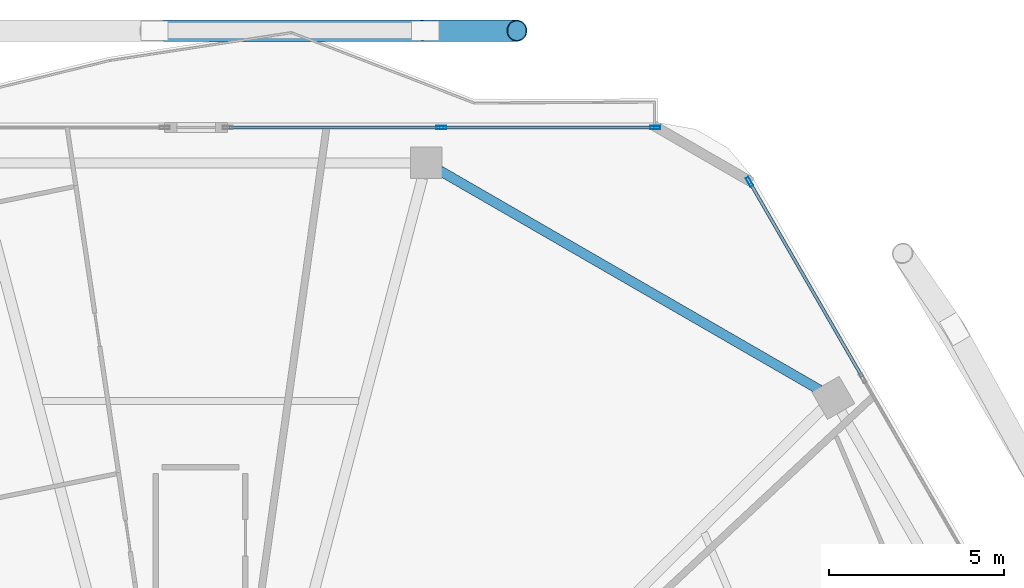
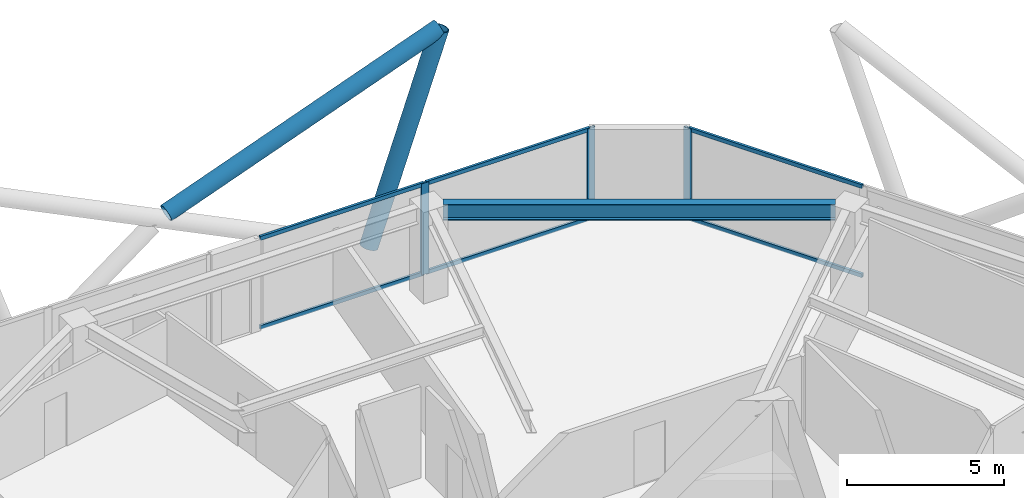
# One storey, part 18 of 28: 11 members, 1 beam, 2 elements without a shape of their own.
"""IFC4 building model written with IfcOpenShell, lengths in metres."""

import ifcopenshell
import ifcopenshell.guid

model = None  # the IFC model being written
_history = None  # IfcOwnerHistory: only IFC2X3 demands one
_inside = {}  # id of a spatial element -> (the spatial element, [elements in it])
_under = {}  # id of a project, library or spatial element -> (it, [spatial elements below it])
_declared = {}  # id of a project -> (the project, [libraries it declares])
_typed = {}  # id of a type object -> (the type object, [elements of that type])
_made_of = {}  # id of a material, layer set ... -> (it, [elements and type objects made of it])


def new_model(schema):
    """Start an empty IFC model of exactly this schema.

    Asked for "IFC4X3", IfcOpenShell would pick the latest addendum, in which some entities
    have other attributes; the version numbers below select the first issue.
    IFC2X3 requires an IfcOwnerHistory on every rooted entity: one is made here for all.
    """
    global model, _history
    if schema == "IFC4X3":
        model = ifcopenshell.file(schema_version=(4, 3, 0, 0))
    else:
        model = ifcopenshell.file(schema=schema)
    _inside.clear()
    _under.clear()
    _declared.clear()
    _typed.clear()
    _made_of.clear()
    _history = None
    if model.schema == "IFC2X3":
        org = make("IfcOrganization", Name="unknown")
        user = make(
            "IfcPersonAndOrganization",
            ThePerson=make("IfcPerson", FamilyName="unknown"),
            TheOrganization=org,
        )
        app = make(
            "IfcApplication",
            ApplicationDeveloper=org,
            Version="unknown",
            ApplicationFullName="unknown",
            ApplicationIdentifier="unknown",
        )
        _history = make(
            "IfcOwnerHistory",
            OwningUser=user,
            OwningApplication=app,
            ChangeAction="ADDED",
            CreationDate=0,
        )
    return model


def make(cls, **values):
    """One entity of the class cls with the attributes given. An attribute that is None is left unset."""
    return model.create_entity(
        cls, **{name: value for name, value in values.items() if value is not None}
    )


def rooted(cls, **values):
    """An entity with a GlobalId (a new one), such as an element, a storey or a relation."""
    return make(cls, GlobalId=ifcopenshell.guid.new(), OwnerHistory=_history, **values)


def si_unit(unit_type, name, prefix=None):
    """IfcSIUnit, for example si_unit("LENGTHUNIT", "METRE", prefix="MILLI")."""
    return make("IfcSIUnit", UnitType=unit_type, Prefix=prefix, Name=name)


def assignment(units):
    """IfcUnitAssignment: the units of a project."""
    return None if units is None else make("IfcUnitAssignment", Units=units)


def point(xyz):
    """IfcCartesianPoint."""
    return None if xyz is None else make("IfcCartesianPoint", Coordinates=xyz)


def direction(xyz):
    """IfcDirection."""
    return None if xyz is None else make("IfcDirection", DirectionRatios=xyz)


def frame(location, z_axis=None, x_axis=None):
    """IfcAxis2Placement3D, a coordinate frame: its origin and axes. An axis left out is left unset."""
    return make(
        "IfcAxis2Placement3D",
        Location=point(location),
        Axis=direction(z_axis),
        RefDirection=direction(x_axis),
    )


def frame_2d(location, x_axis=None):
    """IfcAxis2Placement2D, a coordinate frame in the plane: its origin and x axis."""
    return make(
        "IfcAxis2Placement2D", Location=point(location), RefDirection=direction(x_axis)
    )


def origin():
    """The frame at (0, 0, 0) with its axes left unset."""
    return frame((0.0, 0.0, 0.0))


def origin_2d():
    """The frame at (0, 0) in the plane with its x axis left unset."""
    return frame_2d((0.0, 0.0))


def place(relative_to, where):
    """IfcLocalPlacement: puts the frame where relative to a parent placement (None: the world)."""
    return make(
        "IfcLocalPlacement", PlacementRelTo=relative_to, RelativePlacement=where
    )


def context(
    kind, dimensions, precision=None, world=None, true_north=None, identifier=None
):
    """IfcGeometricRepresentationContext, for example the 3D "Model" context."""
    return make(
        "IfcGeometricRepresentationContext",
        ContextIdentifier=identifier,
        ContextType=kind,
        CoordinateSpaceDimension=dimensions,
        Precision=precision,
        WorldCoordinateSystem=world,
        TrueNorth=true_north,
    )


def subcontext(parent, identifier, kind, view, scale=None):
    """IfcGeometricRepresentationSubContext, for example "Body" below "Model"."""
    return make(
        "IfcGeometricRepresentationSubContext",
        ContextIdentifier=identifier,
        ContextType=kind,
        ParentContext=parent,
        TargetScale=scale,
        TargetView=view,
    )


def project(units=None, contexts=None):
    """IfcProject with its units and contexts."""
    return rooted(
        "IfcProject",
        Name="project",
        RepresentationContexts=contexts,
        UnitsInContext=assignment(units),
    )


def spatial(cls, under=None, at=None, **own):
    """A site, building, storey or space (cls), placed at a placement, below another one or the project."""
    s = rooted(cls, ObjectPlacement=at, **own)
    if under is not None:
        _under.setdefault(under.id(), (under, []))[1].append(s)
    return s


def profile(cls, at=None, kind="AREA", **sizes):
    """A parametric profile (cls). Its sizes go by their IFC names, for example OverallWidth=200.0."""
    return make(cls, ProfileType=kind, Position=at, **sizes)


def hollow_rectangle(**sizes):
    """IfcRectangleHollowProfileDef."""
    return profile("IfcRectangleHollowProfileDef", **sizes)


def hollow_circle(**sizes):
    """IfcCircleHollowProfileDef."""
    return profile("IfcCircleHollowProfileDef", **sizes)


def i_section(**sizes):
    """IfcIShapeProfileDef."""
    return profile("IfcIShapeProfileDef", **sizes)


def extrude(swept, where, along, depth):
    """IfcExtrudedAreaSolid: the profile swept, set in the frame where, extruded along a direction by depth."""
    return make(
        "IfcExtrudedAreaSolid",
        SweptArea=swept,
        Position=where,
        ExtrudedDirection=direction(along),
        Depth=depth,
    )


def shape(context_of_items, identifier, shape_type, items):
    """IfcShapeRepresentation: the items that make up one representation, for example the "Body"."""
    return make(
        "IfcShapeRepresentation",
        ContextOfItems=context_of_items,
        RepresentationIdentifier=identifier,
        RepresentationType=shape_type,
        Items=items,
    )


def material(Name=None, Category=None):
    """IfcMaterial."""
    return make("IfcMaterial", Name=Name, Category=Category)


def material_profile(
    of_material, cross_section, Name=None, Category=None, Priority=None
):
    """IfcMaterialProfile: a cross section and its material."""
    return make(
        "IfcMaterialProfile",
        Name=Name,
        Material=of_material,
        Profile=cross_section,
        Priority=Priority,
        Category=Category,
    )


def profile_set(profiles, Name=None, composite=None):
    """IfcMaterialProfileSet."""
    return make(
        "IfcMaterialProfileSet",
        Name=Name,
        MaterialProfiles=profiles,
        CompositeProfile=composite,
    )


def made_of(thing, what):
    """Note that an element or type object is made of a material, layer set ...; save() writes the relation."""
    if what is not None:
        _made_of.setdefault(what.id(), (what, []))[1].append(thing)
    return thing


def type_object(cls, material=None, **own):
    """A type object (cls), such as IfcWallType, which elements share."""
    return made_of(rooted(cls, **own), material)


def element(
    cls,
    number,
    at=None,
    inside=None,
    cuts=None,
    type_object=None,
    material=None,
    context=None,
    identifier="Body",
    shape_type=None,
    held_by="IfcProductDefinitionShape",
    body=None,
    shapes=None,
    **own,
):
    """One element of the class cls, such as IfcWall. Its Tag is "e" and its number.

    at: its placement. inside: the storey or other place that contains it. cuts: it is an
    opening in that element (IfcRelVoidsElement). A single representation is given by context,
    identifier, shape_type and body (its items); several are given by shapes. held_by: the class
    of the entity that holds the representations. save() writes the other relations.
    """
    e = rooted(cls, Tag="e%d" % number, ObjectPlacement=at, **own)
    if body is not None:
        shapes = [shape(context, identifier, shape_type, body)]
    if shapes is not None:
        e.Representation = make(held_by, Representations=shapes)
    if inside is not None:
        _inside.setdefault(inside.id(), (inside, []))[1].append(e)
    if cuts is not None:
        rooted(
            "IfcRelVoidsElement", RelatingBuildingElement=cuts, RelatedOpeningElement=e
        )
    if type_object is not None:
        _typed.setdefault(type_object.id(), (type_object, []))[1].append(e)
    return made_of(e, material)


def aggregate(whole, parts):
    """IfcRelAggregates: a whole, such as a stair, and the parts it consists of."""
    return rooted("IfcRelAggregates", RelatingObject=whole, RelatedObjects=parts)


def save(model, path):
    """Write the relations noted so far, then the file.

    IfcRelAggregates (storeys below a building ...), IfcRelContainedInSpatialStructure (elements
    in a storey), IfcRelDefinesByType, IfcRelAssociatesMaterial and IfcRelDeclares: one each for
    every whole, place, type object, material and project.
    """
    for whole, parts in _under.values():
        aggregate(whole, parts)
    for where, things in _inside.values():
        rooted(
            "IfcRelContainedInSpatialStructure",
            RelatedElements=things,
            RelatingStructure=where,
        )
    for kind, things in _typed.values():
        rooted("IfcRelDefinesByType", RelatedObjects=things, RelatingType=kind)
    for what, things in _made_of.values():
        rooted("IfcRelAssociatesMaterial", RelatedObjects=things, RelatingMaterial=what)
    for by, libraries in _declared.values():
        rooted("IfcRelDeclares", RelatingContext=by, RelatedDefinitions=libraries)
    model.write(path)


model = new_model("IFC4")

# Units and contexts
model_context = context("Model", 3, precision=1e-05, world=origin(), true_north=direction((0.0, 1.0)))
body_context = subcontext(model_context, "Body", "Model", "MODEL_VIEW")
ifc_project = project(units=[si_unit("LENGTHUNIT", "METRE"), si_unit("AREAUNIT", "SQUARE_METRE"), si_unit("VOLUMEUNIT", "CUBIC_METRE"), si_unit("PLANEANGLEUNIT", "RADIAN"), si_unit("MASSUNIT", "GRAM", prefix="KILO")], contexts=[model_context])

# Site, building, storey
site_placement = place(None, origin())
site = spatial("IfcSite", under=ifc_project, at=site_placement, CompositionType="ELEMENT")
building_placement = place(site_placement, origin())
building = spatial("IfcBuilding", under=site, at=building_placement, Name="Zuhravey Tower", CompositionType="ELEMENT")
storey_placement = place(building_placement, frame((0.0, 0.0, 254.0)))
storey = spatial("IfcBuildingStorey", under=building, at=storey_placement, Name="L64", CompositionType="ELEMENT", Elevation=254.0)

# Curtain wall, members
ifc_material_1 = material(Name="Thermally broken anodised aluminium", Category="aluminium")
curtain_wall_type = type_object("IfcCurtainWallType", Name="Zone 3-4 High-Rise Curtain Wall CW4", PredefinedType="NOTDEFINED", material=ifc_material_1)
curtain_wall_1_placement = place(storey_placement, origin())
curtain_wall_1 = element("IfcCurtainWall", 1, at=curtain_wall_1_placement, inside=storey, type_object=curtain_wall_type, Name="L64 CW4 CW-L64-F2-2", PredefinedType="NOTDEFINED")
ifc_material_2 = material(Name="Anodised aluminium", Category="aluminium")
ifc_material_profile_1 = material_profile(ifc_material_2, hollow_rectangle(XDim=0.090087890625, YDim=0.284912109375, WallThickness=0.0048828125, at=origin_2d()), Name="ALU-RHS-90x285x5")
ifc_profile_set_1 = profile_set([ifc_material_profile_1], Name="Anodised aluminium")
member_type_1 = type_object("IfcMemberType", Name="Curtain-Wall Mullion 90x180", PredefinedType="MULLION", material=ifc_profile_set_1)
member_1_placement = place(storey_placement, frame((42.868896484375, 57.563720703125, 0.0), z_axis=(0.0, 0.0, 1.0), x_axis=(0.0, 1.0, 0.0)))
member_1 = element("IfcMember", 2, at=member_1_placement, type_object=member_type_1, Name="CW4 mullion 2", PredefinedType="MULLION", context=body_context, shape_type="SweptSolid", body=[
    extrude(hollow_rectangle(XDim=0.090087890625, YDim=0.284912109375, WallThickness=0.0048828125, at=origin_2d()), origin(), (0.0, 0.0, 1.0), 3.550048828125),
])
member_2_placement = place(storey_placement, frame((48.9677734375, 57.563720703125, 0.0), z_axis=(0.0, 0.0, 1.0), x_axis=(0.0, 1.0, 0.0)))
member_2 = element("IfcMember", 3, at=member_2_placement, type_object=member_type_1, Name="CW4 mullion 3", PredefinedType="MULLION", context=body_context, shape_type="SweptSolid", body=[
    extrude(hollow_rectangle(XDim=0.090087890625, YDim=0.284912109375, WallThickness=0.0048828125, at=origin_2d()), origin(), (0.0, 0.0, 1.0), 3.550048828125),
])

# Curtain wall, member
curtain_wall_2_placement = place(storey_placement, origin())
curtain_wall_2 = element("IfcCurtainWall", 4, at=curtain_wall_2_placement, inside=storey, type_object=curtain_wall_type, Name="L64 CW4 CW-L64-F1-1", PredefinedType="NOTDEFINED")
member_3_placement = place(storey_placement, frame((51.65478515625, 56.01220703125, 0.0), z_axis=(0.0, 0.0, 1.0), x_axis=(0.866024851021, 0.500000957414, 0.0)))
member_3 = element("IfcMember", 5, at=member_3_placement, type_object=member_type_1, Name="CW4 mullion 1", PredefinedType="MULLION", context=body_context, shape_type="SweptSolid", body=[
    extrude(hollow_rectangle(XDim=0.090087890625, YDim=0.284912109375, WallThickness=0.0048828125, at=origin_2d()), origin(), (0.0, 0.0, 1.0), 3.550048828125),
])

# Member
ifc_material_profile_2 = material_profile(ifc_material_2, hollow_rectangle(XDim=0.090087890625, YDim=0.14990234375, WallThickness=0.0048828125, at=origin_2d()), Name="ALU-RHS-90x150x5")
ifc_profile_set_2 = profile_set([ifc_material_profile_2], Name="Anodised aluminium")
member_type_2 = type_object("IfcMemberType", Name="Curtain-Wall Transom 90x150", PredefinedType="USERDEFINED", material=ifc_profile_set_2)
member_4_placement = place(storey_placement, frame((36.815185546875, 57.563720703125, 0.044921875), z_axis=(1.0, 0.0, 0.0), x_axis=(0.0, 1.0, 0.0)))
member_4 = element("IfcMember", 6, at=member_4_placement, type_object=member_type_2, Name="CW4 transom 1.1", ObjectType="TRANSOM", PredefinedType="USERDEFINED", context=body_context, shape_type="SweptSolid", body=[
    extrude(hollow_rectangle(XDim=0.090087890625, YDim=0.14990234375, WallThickness=0.0048828125, at=origin_2d()), origin(), (0.0, 0.0, 1.0), 6.0087890625),
])

member_5_placement = place(storey_placement, frame((36.815185546875, 57.563720703125, 3.5048828125), z_axis=(1.0, 0.0, 0.0), x_axis=(0.0, 1.0, 0.0)))
member_5 = element("IfcMember", 7, at=member_5_placement, type_object=member_type_2, Name="CW4 transom 1.2", ObjectType="TRANSOM", PredefinedType="USERDEFINED", context=body_context, shape_type="SweptSolid", body=[
    extrude(hollow_rectangle(XDim=0.090087890625, YDim=0.14990234375, WallThickness=0.0048828125, at=origin_2d()), origin(), (0.0, 0.0, 1.0), 6.0087890625),
])

member_6_placement = place(storey_placement, frame((42.9140625, 57.563720703125, 0.044921875), z_axis=(1.0, 0.0, 0.0), x_axis=(0.0, 1.0, 0.0)))
member_6 = element("IfcMember", 8, at=member_6_placement, type_object=member_type_2, Name="CW4 transom 2.1", ObjectType="TRANSOM", PredefinedType="USERDEFINED", context=body_context, shape_type="SweptSolid", body=[
    extrude(hollow_rectangle(XDim=0.090087890625, YDim=0.14990234375, WallThickness=0.0048828125, at=origin_2d()), origin(), (0.0, 0.0, 1.0), 6.008544921875),
])

member_7_placement = place(storey_placement, frame((42.9140625, 57.563720703125, 3.5048828125), z_axis=(1.0, 0.0, 0.0), x_axis=(0.0, 1.0, 0.0)))
member_7 = element("IfcMember", 9, at=member_7_placement, type_object=member_type_2, Name="CW4 transom 2.2", ObjectType="TRANSOM", PredefinedType="USERDEFINED", context=body_context, shape_type="SweptSolid", body=[
    extrude(hollow_rectangle(XDim=0.090087890625, YDim=0.14990234375, WallThickness=0.0048828125, at=origin_2d()), origin(), (0.0, 0.0, 1.0), 6.008544921875),
])

aggregate(curtain_wall_1, [member_1, member_2, member_4, member_5, member_6, member_7])

member_8_placement = place(storey_placement, frame((51.677490234375, 55.97314453125, 0.044921875), z_axis=(0.499980071345, -0.866036909293, 0.0), x_axis=(0.866036909293, 0.499980071345, 0.0)))
member_8 = element("IfcMember", 10, at=member_8_placement, type_object=member_type_2, Name="CW4 transom 1.1", ObjectType="TRANSOM", PredefinedType="USERDEFINED", context=body_context, shape_type="SweptSolid", body=[
    extrude(hollow_rectangle(XDim=0.090087890625, YDim=0.14990234375, WallThickness=0.0048828125, at=origin_2d()), origin(), (0.0, 0.0, 1.0), 6.371337890625),
])

member_9_placement = place(storey_placement, frame((51.677490234375, 55.97314453125, 3.5048828125), z_axis=(0.499980071345, -0.866036909293, 0.0), x_axis=(0.866036909293, 0.499980071345, 0.0)))
member_9 = element("IfcMember", 11, at=member_9_placement, type_object=member_type_2, Name="CW4 transom 1.2", ObjectType="TRANSOM", PredefinedType="USERDEFINED", context=body_context, shape_type="SweptSolid", body=[
    extrude(hollow_rectangle(XDim=0.090087890625, YDim=0.14990234375, WallThickness=0.0048828125, at=origin_2d()), origin(), (0.0, 0.0, 1.0), 6.371337890625),
])

aggregate(curtain_wall_2, [member_3, member_8, member_9])

# Members
ifc_material_3 = material(Name="Steel SM355", Category="steel")
ifc_material_profile_3 = material_profile(ifc_material_3, hollow_circle(Radius=0.3046875, WallThickness=0.028076171875, at=origin_2d()), Name="CHS-609.6x28")
ifc_profile_set_3 = profile_set([ifc_material_profile_3], Name="Steel SM355")
member_type_3 = type_object("IfcMemberType", Name="Exoskeleton Zone 3 Diagrid CHS610x28", PredefinedType="BRACE", material=ifc_profile_set_3)
member_10_placement = place(storey_placement, frame((42.413818359375, 60.323486328125, -0.446044921875), z_axis=(0.326060268586, 0.0, 0.945348983841), x_axis=(0.0, 1.0, 0.0)))
element("IfcMember", 12, at=member_10_placement, inside=storey, type_object=member_type_3, Name="L64 Face 2 Diagrid Brace 1", PredefinedType="BRACE", context=body_context, shape_type="SweptSolid", body=[
    extrude(hollow_circle(Radius=0.3046875, WallThickness=0.028076171875, at=origin_2d()), origin(), (0.0, 0.0, 1.0), 8.001220703125),
])
member_11_placement = place(storey_placement, frame((34.96630859375, 60.323486328125, 3.437744140625), z_axis=(0.93861991973, 0.0, 0.344953107373), x_axis=(0.0, 1.0, 0.0)))
element("IfcMember", 13, at=member_11_placement, inside=storey, type_object=member_type_3, Name="L64 Face 2 Split Diagrid Brace 3B", PredefinedType="BRACE", context=body_context, shape_type="SweptSolid", body=[
    extrude(hollow_circle(Radius=0.3046875, WallThickness=0.028076171875, at=origin_2d()), origin(), (0.0, 0.0, 1.0), 10.679931640625),
])

# Beam
ifc_material_profile_4 = material_profile(ifc_material_3, i_section(OverallWidth=0.280029296875, OverallDepth=0.6201171875, WebThickness=0.011962890625, FlangeThickness=0.02001953125, at=origin_2d()), Name="H-620x280x12x20")
ifc_profile_set_4 = profile_set([ifc_material_profile_4], Name="Steel SM355")
beam_type = type_object("IfcBeamType", Name="Perimeter Ring Beam H620x280", PredefinedType="BEAM", material=ifc_profile_set_4)
beam_placement = place(storey_placement, frame((53.6513671875, 50.081298828125, 3.239990234375), z_axis=(-0.866025131093, 0.500000472315, 0.0), x_axis=(-0.500000472315, -0.866025131093, 0.0)))
element("IfcBeam", 14, at=beam_placement, inside=storey, type_object=beam_type, Name="L64 PB3 BM-L64-PB-02", PredefinedType="BEAM", context=body_context, shape_type="SweptSolid", body=[
    extrude(i_section(OverallWidth=0.280029296875, OverallDepth=0.6201171875, WebThickness=0.011962890625, FlangeThickness=0.02001953125, at=origin_2d()), origin(), (0.0, 0.0, 1.0), 12.49169921875),
])

save(model, "model.ifc")
